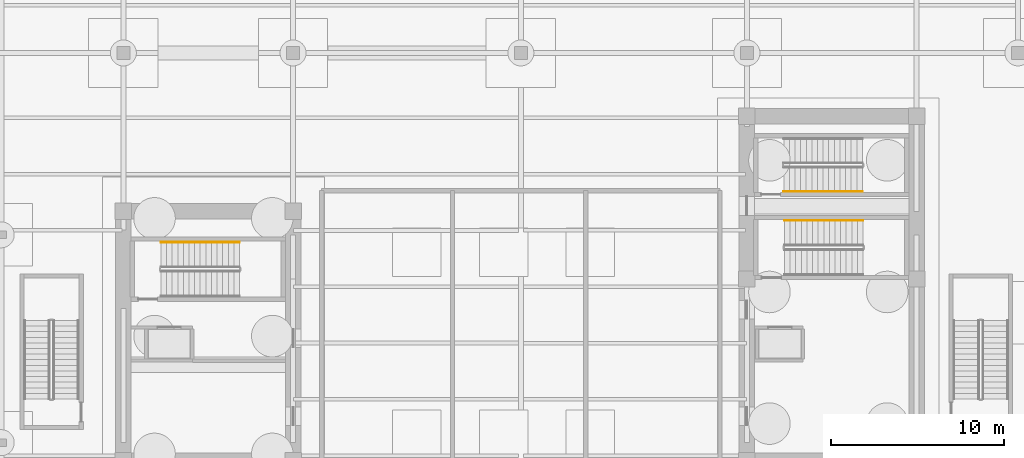
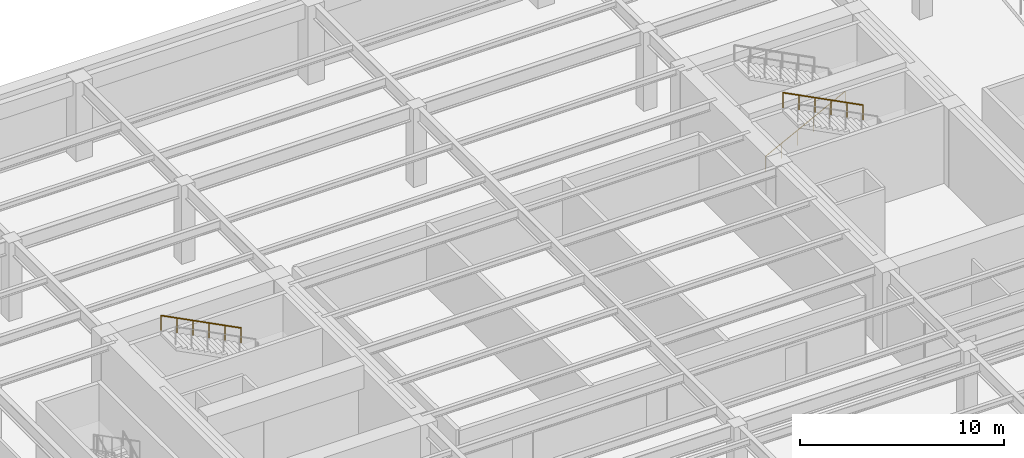
# One storey, part 11 of 14: 3 railings.
"""IFC4 building model written with IfcOpenShell, lengths in metres."""

from ifc_helpers import new_model, si_unit, direction, frame, origin, origin_2d, place, context, subcontext, project, spatial, circle, extrude, material, type_object, element, save


model = new_model("IFC4")

# Units and contexts
model_context = context("Model", 3, precision=1e-05, world=origin(), true_north=direction((0.0, 1.0)))
body_context = subcontext(model_context, "Body", "Model", "MODEL_VIEW")
ifc_project = project(units=[si_unit("LENGTHUNIT", "METRE"), si_unit("AREAUNIT", "SQUARE_METRE"), si_unit("VOLUMEUNIT", "CUBIC_METRE"), si_unit("PLANEANGLEUNIT", "RADIAN"), si_unit("MASSUNIT", "GRAM", prefix="KILO")], contexts=[model_context])

# Site, building, storey
site_placement = place(None, origin())
site = spatial("IfcSite", under=ifc_project, at=site_placement, CompositionType="ELEMENT")
building_placement = place(site_placement, origin())
building = spatial("IfcBuilding", under=site, at=building_placement, Name="Kolvaren Arena Tower", CompositionType="ELEMENT")
storey_placement = place(building_placement, frame((0.0, 0.0, -10.0)))
storey = spatial("IfcBuildingStorey", under=building, at=storey_placement, Name="B02", CompositionType="ELEMENT", Elevation=-10.0)

# Railings
ifc_material = material(Name="Brushed stainless steel handrail", Category="steel")
railing_type = type_object("IfcRailingType", Name="HRAIL-900", PredefinedType="HANDRAIL", material=ifc_material)
for number, where, name in (
    (1, (21.256103515625, 32.080078125, 2.666748046875), "B02 ST-W1 stair handrail 2"),
    (2, (57.256103515625, 33.330078125, 2.666748046875), "B02 ST-E1 stair handrail 2"),
):
    element("IfcRailing", number, at=place(storey_placement, frame(where)), inside=storey, type_object=railing_type, Name=name, PredefinedType="HANDRAIL", context=body_context, shape_type="SweptSolid", body=[
        extrude(circle(Radius=0.02392578125, at=origin_2d()), frame((0.0, 0.0, 0.8759765625), z_axis=(-0.889257211316, 0.0, 0.457407490234), x_axis=(0.0, -1.0, 0.0)), (0.0, 0.0, 1.0), 5.10107421875),
        extrude(circle(Radius=0.02099609375, at=origin_2d()), origin(), (0.0, 0.0, 1.0), 0.851806640625),
        extrude(circle(Radius=0.02099609375, at=origin_2d()), frame((-0.9072265625, 0.0, 0.466552734375)), (0.0, 0.0, 1.0), 0.851806640625),
        extrude(circle(Radius=0.02099609375, at=origin_2d()), frame((-1.814453125, 0.0, 0.933349609375)), (0.0, 0.0, 1.0), 0.851806640625),
        extrude(circle(Radius=0.02099609375, at=origin_2d()), frame((-2.7216796875, 0.0, 1.39990234375)), (0.0, 0.0, 1.0), 0.851806640625),
        extrude(circle(Radius=0.02099609375, at=origin_2d()), frame((-3.62890625, 0.0, 1.86669921875)), (0.0, 0.0, 1.0), 0.851806640625),
        extrude(circle(Radius=0.02099609375, at=origin_2d()), frame((-4.5361328125, 0.0, 2.333251953125)), (0.0, 0.0, 1.0), 0.851806640625),
    ])
railing_placement = place(storey_placement, frame((52.679931640625, 35.0, 0.166748046875)))
element("IfcRailing", 3, at=railing_placement, inside=storey, type_object=railing_type, Name="B02 ST-E2 stair handrail 1", PredefinedType="HANDRAIL", context=body_context, shape_type="SweptSolid", body=[
    extrude(circle(Radius=0.02392578125, at=origin_2d()), frame((0.0, 0.0, 0.8759765625), z_axis=(0.889257211316, 0.0, 0.457407490234), x_axis=(0.0, 1.0, 0.0)), (0.0, 0.0, 1.0), 5.10107421875),
    extrude(circle(Radius=0.02099609375, at=origin_2d()), origin(), (0.0, 0.0, 1.0), 0.851806640625),
    extrude(circle(Radius=0.02099609375, at=origin_2d()), frame((0.9072265625, 0.0, 0.466552734375)), (0.0, 0.0, 1.0), 0.851806640625),
    extrude(circle(Radius=0.02099609375, at=origin_2d()), frame((1.814453125, 0.0, 0.933349609375)), (0.0, 0.0, 1.0), 0.851806640625),
    extrude(circle(Radius=0.02099609375, at=origin_2d()), frame((2.7216796875, 0.0, 1.39990234375)), (0.0, 0.0, 1.0), 0.851806640625),
    extrude(circle(Radius=0.02099609375, at=origin_2d()), frame((3.62890625, 0.0, 1.86669921875)), (0.0, 0.0, 1.0), 0.851806640625),
    extrude(circle(Radius=0.02099609375, at=origin_2d()), frame((4.5361328125, 0.0, 2.333251953125)), (0.0, 0.0, 1.0), 0.851806640625),
])

save(model, "model.ifc")
